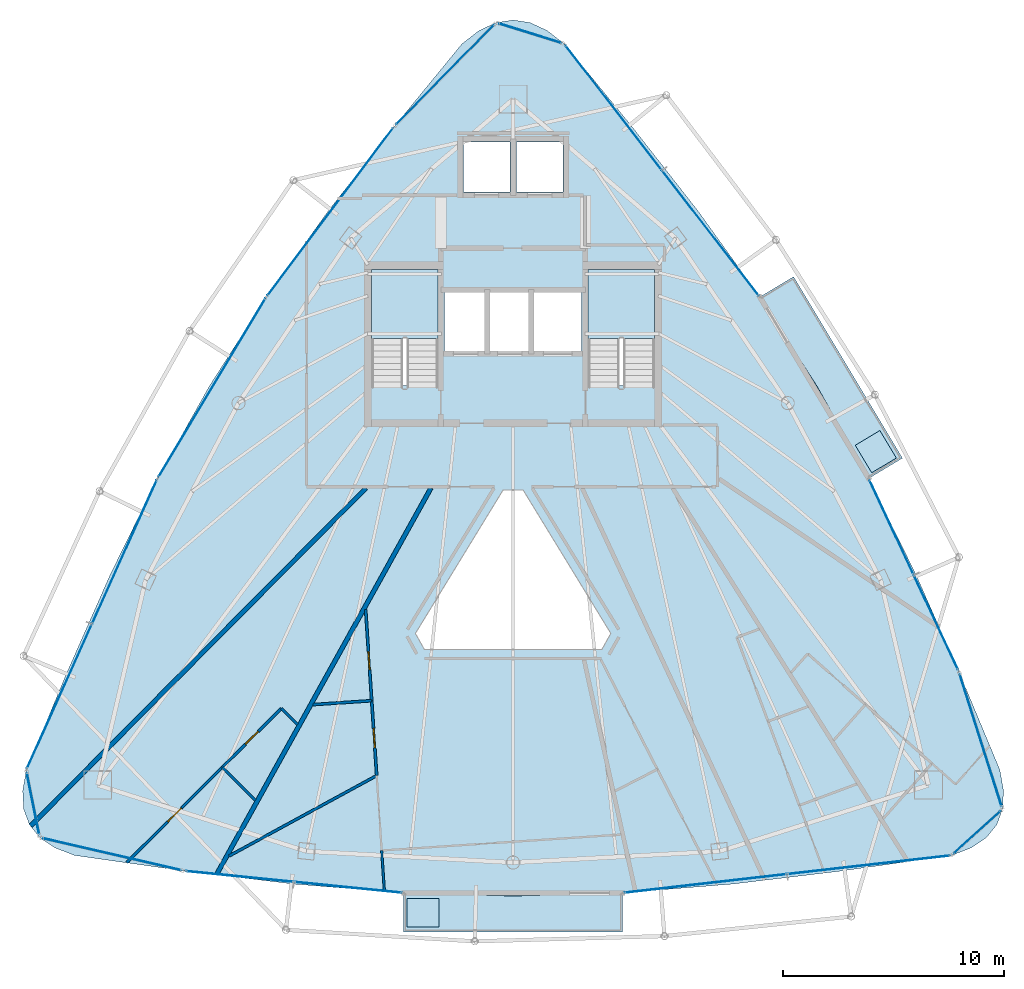
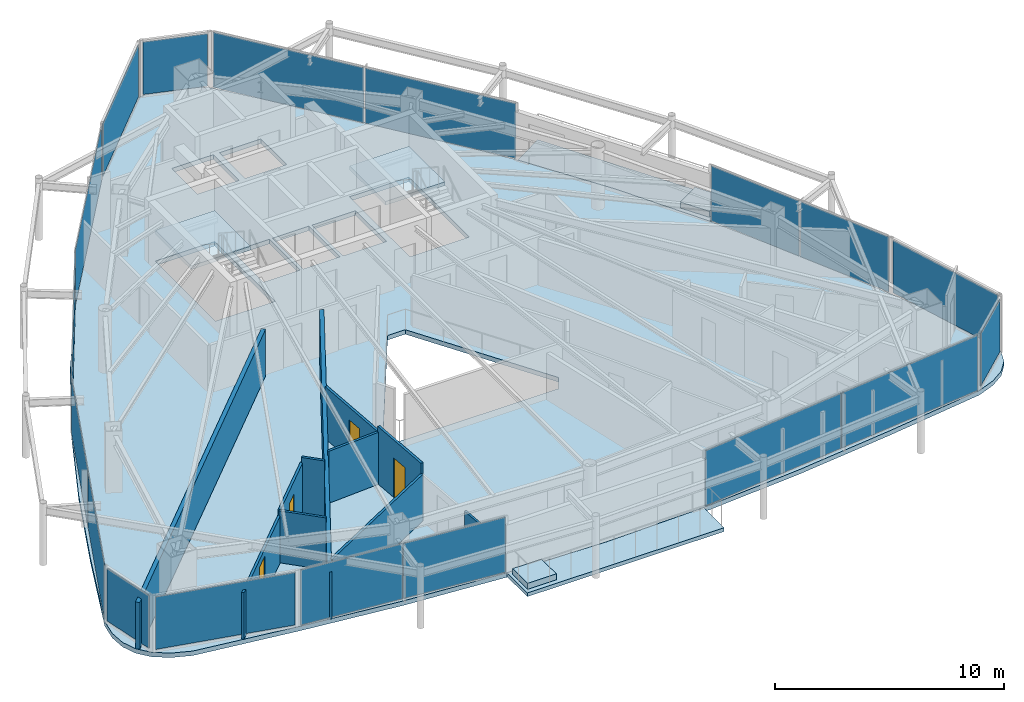
# One storey, part 24 of 29: 18 plates, 11 walls, 7 slabs, 4 doors, 4 openings, 15 elements without a shape of their own.
"""IFC4 building model written with IfcOpenShell, lengths in metres."""

from ifc_helpers import new_model, si_unit, direction, frame, frame_2d, origin, origin_2d, place, context, subcontext, project, spatial, polyline, rectangle, outline, extrude, material, layer, layer_set, type_object, element, fill, aggregate, save


model = new_model("IFC4")

# Units and contexts
model_context = context("Model", 3, precision=1e-05, world=origin(), true_north=direction((0.0, 1.0)))
body_context = subcontext(model_context, "Body", "Model", "MODEL_VIEW")
ifc_project = project(units=[si_unit("LENGTHUNIT", "METRE"), si_unit("AREAUNIT", "SQUARE_METRE"), si_unit("VOLUMEUNIT", "CUBIC_METRE"), si_unit("PLANEANGLEUNIT", "RADIAN"), si_unit("MASSUNIT", "GRAM", prefix="KILO")], contexts=[model_context])

# Site, building, storey
site_placement = place(None, origin())
site = spatial("IfcSite", under=ifc_project, at=site_placement, CompositionType="ELEMENT")
building_placement = place(site_placement, origin())
building = spatial("IfcBuilding", under=site, at=building_placement, Name="Orvanel Arch Residences", CompositionType="ELEMENT")
storey_placement = place(building_placement, frame((0.0, 0.0, 250.25)))
storey = spatial("IfcBuildingStorey", under=building, at=storey_placement, Name="L71", CompositionType="ELEMENT", Elevation=250.25)

# Curtain wall, plate
ifc_material_1 = material(Name="Bronze-anodised aluminium AA6063-T6", Category="aluminium")
ifc_layer_1 = layer(ifc_material_1, 0.175048828125)
ifc_layer_set_1 = layer_set([ifc_layer_1], Name="Bronze-anodised aluminium AA6063-T6")
curtain_wall_type_1 = type_object("IfcCurtainWallType", Name="CW4-HI-SYS", PredefinedType="NOTDEFINED", material=ifc_layer_set_1)
curtain_wall_1_placement = place(storey_placement, origin())
curtain_wall_1 = element("IfcCurtainWall", 1, at=curtain_wall_1_placement, inside=storey, type_object=curtain_wall_type_1, Name="L71 CW4-HI-SYS Unitised Curtain Wall", PredefinedType="NOTDEFINED")
ifc_material_2 = material(Name="Double-glazed solar-control low-E safety glass", Category="glass")
ifc_layer_2 = layer(ifc_material_2, 0.028076171875)
ifc_layer_set_2 = layer_set([ifc_layer_2], Name="Double-glazed solar-control low-E safety glass")
plate_type_1 = type_object("IfcPlateType", Name="PNL-GLZ-28", PredefinedType="CURTAIN_PANEL", material=ifc_layer_set_2)
plate_1_placement = place(storey_placement, frame((24.722412109375, 36.300537109375, 0.06005859375), z_axis=(0.0, 0.0, 1.0), x_axis=(-0.600150105151, -0.79988739913, 0.0)))
plate_1 = element("IfcPlate", 2, at=plate_1_placement, type_object=plate_type_1, Name="CW-S4 panel 1.1", PredefinedType="CURTAIN_PANEL", context=body_context, shape_type="SweptSolid", body=[
    extrude(rectangle(XDim=9.462646484375, YDim=0.028076171875, at=origin_2d()), origin(), (0.0, 0.0, 1.0), 2.93994140625),
])
aggregate(curtain_wall_1, [plate_1])

curtain_wall_2_placement = place(storey_placement, origin())
curtain_wall_2 = element("IfcCurtainWall", 3, at=curtain_wall_2_placement, inside=storey, type_object=curtain_wall_type_1, Name="L71 CW4-HI-SYS Unitised Curtain Wall", PredefinedType="NOTDEFINED")
plate_2_placement = place(storey_placement, frame((19.367919921875, 28.339599609375, 0.06005859375), z_axis=(0.0, 0.0, 1.0), x_axis=(-0.514357043174, -0.857576137808, 0.0)))
plate_2 = element("IfcPlate", 4, at=plate_2_placement, type_object=plate_type_1, Name="CW-S4 panel 1.1", PredefinedType="CURTAIN_PANEL", context=body_context, shape_type="SweptSolid", body=[
    extrude(rectangle(XDim=9.412109375, YDim=0.028076171875, at=origin_2d()), origin(), (0.0, 0.0, 1.0), 2.93994140625),
])
aggregate(curtain_wall_2, [plate_2])

# Curtain wall, plates
curtain_wall_3_placement = place(storey_placement, origin())
curtain_wall_3 = element("IfcCurtainWall", 5, at=curtain_wall_3_placement, inside=storey, type_object=curtain_wall_type_1, Name="L71 CW4-HI-SYS Unitised Curtain Wall", PredefinedType="NOTDEFINED")
plate_3_placement = place(storey_placement, frame((15.40869140625, 20.907958984375, 0.06005859375), z_axis=(0.0, 0.0, 1.0), x_axis=(-0.410396368338, -0.911907243559, 0.0)))
plate_3 = element("IfcPlate", 6, at=plate_3_placement, type_object=plate_type_1, Name="CW-S4 panel 1.1", PredefinedType="CURTAIN_PANEL", context=body_context, shape_type="SweptSolid", body=[
    extrude(rectangle(XDim=7.11865234375, YDim=0.028076171875, at=origin_2d()), origin(), (0.0, 0.0, 1.0), 2.93994140625),
])
plate_4_placement = place(storey_placement, frame((12.46044921875, 14.357177734375, 0.06005859375), z_axis=(0.0, 0.0, 1.0), x_axis=(-0.410396368338, -0.911907243559, 0.0)))
plate_4 = element("IfcPlate", 7, at=plate_4_placement, type_object=plate_type_1, Name="CW-S4 panel 2.1", PredefinedType="CURTAIN_PANEL", context=body_context, shape_type="SweptSolid", body=[
    extrude(rectangle(XDim=7.11865234375, YDim=0.028076171875, at=origin_2d()), origin(), (0.0, 0.0, 1.0), 2.93994140625),
])
aggregate(curtain_wall_3, [plate_3, plate_4])

curtain_wall_4_placement = place(storey_placement, origin())
curtain_wall_4 = element("IfcCurtainWall", 8, at=curtain_wall_4_placement, inside=storey, type_object=curtain_wall_type_1, Name="L71 CW4-HI-SYS Unitised Curtain Wall", PredefinedType="NOTDEFINED")
plate_5_placement = place(storey_placement, frame((20.623779296875, 6.212158203125, 0.06005859375), z_axis=(0.0, 0.0, 1.0), x_axis=(0.995029211484, -0.099583474002, 0.0)))
plate_5 = element("IfcPlate", 9, at=plate_5_placement, type_object=plate_type_1, Name="CW-S4 panel 1.1", PredefinedType="CURTAIN_PANEL", context=body_context, shape_type="SweptSolid", body=[
    extrude(rectangle(XDim=4.8681640625, YDim=0.028076171875, at=origin_2d()), origin(), (0.0, 0.0, 1.0), 2.93994140625),
])
plate_6_placement = place(storey_placement, frame((25.5322265625, 5.720947265625, 0.06005859375), z_axis=(0.0, 0.0, 1.0), x_axis=(0.995029211484, -0.099583474002, 0.0)))
plate_6 = element("IfcPlate", 10, at=plate_6_placement, type_object=plate_type_1, Name="CW-S4 panel 2.1", PredefinedType="CURTAIN_PANEL", context=body_context, shape_type="SweptSolid", body=[
    extrude(rectangle(XDim=4.8681640625, YDim=0.028076171875, at=origin_2d()), origin(), (0.0, 0.0, 1.0), 2.93994140625),
])
aggregate(curtain_wall_4, [plate_5, plate_6])

curtain_wall_5_placement = place(storey_placement, origin())
curtain_wall_5 = element("IfcCurtainWall", 11, at=curtain_wall_5_placement, inside=storey, type_object=curtain_wall_type_1, Name="L71 CW4-HI-SYS Unitised Curtain Wall", PredefinedType="NOTDEFINED")
plate_7_placement = place(storey_placement, frame((41.7080078125, 5.896728515625, 0.06005859375), z_axis=(0.0, 0.0, 1.0), x_axis=(0.993565426136, 0.113259630878, 0.0)))
plate_7 = element("IfcPlate", 12, at=plate_7_placement, type_object=plate_type_1, Name="CW-S4 panel 1.1", PredefinedType="CURTAIN_PANEL", context=body_context, shape_type="SweptSolid", body=[
    extrude(rectangle(XDim=7.3720703125, YDim=0.028076171875, at=origin_2d()), origin(), (0.0, 0.0, 1.0), 2.93994140625),
])
plate_8_placement = place(storey_placement, frame((49.09716796875, 6.7392578125, 0.06005859375), z_axis=(0.0, 0.0, 1.0), x_axis=(0.993565426136, 0.113259630878, 0.0)))
plate_8 = element("IfcPlate", 13, at=plate_8_placement, type_object=plate_type_1, Name="CW-S4 panel 2.1", PredefinedType="CURTAIN_PANEL", context=body_context, shape_type="SweptSolid", body=[
    extrude(rectangle(XDim=7.3720703125, YDim=0.028076171875, at=origin_2d()), origin(), (0.0, 0.0, 1.0), 2.93994140625),
])
aggregate(curtain_wall_5, [plate_7, plate_8])

curtain_wall_6_placement = place(storey_placement, origin())
curtain_wall_6 = element("IfcCurtainWall", 14, at=curtain_wall_6_placement, inside=storey, type_object=curtain_wall_type_1, Name="L71 CW4-HI-SYS Unitised Curtain Wall", PredefinedType="NOTDEFINED")
plate_9_placement = place(storey_placement, frame((52.142822265625, 17.70947265625, 0.06005859375), z_axis=(0.0, 0.0, 1.0), x_axis=(-0.423330539235, 0.905975305707, 0.0)))
plate_9 = element("IfcPlate", 15, at=plate_9_placement, type_object=plate_type_1, Name="CW-S4 panel 1.1", PredefinedType="CURTAIN_PANEL", context=body_context, shape_type="SweptSolid", body=[
    extrude(rectangle(XDim=4.698974609375, YDim=0.028076171875, at=origin_2d()), origin(), (0.0, 0.0, 1.0), 2.93994140625),
])
plate_10_placement = place(storey_placement, frame((50.126220703125, 22.025634765625, 0.06005859375), z_axis=(0.0, 0.0, 1.0), x_axis=(-0.423330539235, 0.905975305707, 0.0)))
plate_10 = element("IfcPlate", 16, at=plate_10_placement, type_object=plate_type_1, Name="CW-S4 panel 2.1", PredefinedType="CURTAIN_PANEL", context=body_context, shape_type="SweptSolid", body=[
    extrude(rectangle(XDim=4.698974609375, YDim=0.028076171875, at=origin_2d()), origin(), (0.0, 0.0, 1.0), 2.93994140625),
])
aggregate(curtain_wall_6, [plate_9, plate_10])

curtain_wall_7_placement = place(storey_placement, origin())
curtain_wall_7 = element("IfcCurtainWall", 17, at=curtain_wall_7_placement, inside=storey, type_object=curtain_wall_type_1, Name="L71 CW4-HI-SYS Unitised Curtain Wall", PredefinedType="NOTDEFINED")
plate_11_placement = place(storey_placement, frame((41.9404296875, 35.331787109375, 0.06005859375), z_axis=(0.0, 0.0, 1.0), x_axis=(-0.611380446006, 0.791336812136, 0.0)))
plate_11 = element("IfcPlate", 18, at=plate_11_placement, type_object=plate_type_1, Name="CW-S4 panel 1.1", PredefinedType="CURTAIN_PANEL", context=body_context, shape_type="SweptSolid", body=[
    extrude(rectangle(XDim=7.1181640625, YDim=0.028076171875, at=origin_2d()), origin(), (0.0, 0.0, 1.0), 2.93994140625),
])
plate_12_placement = place(storey_placement, frame((37.548583984375, 41.01611328125, 0.06005859375), z_axis=(0.0, 0.0, 1.0), x_axis=(-0.611380446006, 0.791336812136, 0.0)))
plate_12 = element("IfcPlate", 19, at=plate_12_placement, type_object=plate_type_1, Name="CW-S4 panel 2.1", PredefinedType="CURTAIN_PANEL", context=body_context, shape_type="SweptSolid", body=[
    extrude(rectangle(XDim=7.1181640625, YDim=0.028076171875, at=origin_2d()), origin(), (0.0, 0.0, 1.0), 2.93994140625),
])
aggregate(curtain_wall_7, [plate_11, plate_12])

# Curtain wall, plate
ifc_layer_3 = layer(ifc_material_1, 0.18994140625)
ifc_layer_set_3 = layer_set([ifc_layer_3], Name="Bronze-anodised aluminium AA6063-T6")
curtain_wall_type_2 = type_object("IfcCurtainWallType", Name="CW5-CRN-SYS", PredefinedType="NOTDEFINED", material=ifc_layer_set_3)
curtain_wall_8_placement = place(storey_placement, origin())
curtain_wall_8 = element("IfcCurtainWall", 20, at=curtain_wall_8_placement, inside=storey, type_object=curtain_wall_type_2, Name="L71 CW5-CRN-SYS Unitised Curtain Wall", PredefinedType="NOTDEFINED")
ifc_layer_4 = layer(ifc_material_2, 0.031982421875)
ifc_layer_set_4 = layer_set([ifc_layer_4], Name="Double-glazed solar-control low-E safety glass")
plate_type_2 = type_object("IfcPlateType", Name="PNL-GLZ-32", PredefinedType="CURTAIN_PANEL", material=ifc_layer_set_4)
plate_13_placement = place(storey_placement, frame((33.7734375, 44.381591796875, 0.1298828125), z_axis=(0.0, 0.0, 1.0), x_axis=(-0.954862682861, 0.297047566696, 0.0)))
plate_13 = element("IfcPlate", 21, at=plate_13_placement, type_object=plate_type_2, Name="CW-S5 panel 1.1", PredefinedType="CURTAIN_PANEL", context=body_context, shape_type="SweptSolid", body=[
    extrude(rectangle(XDim=2.901611328125, YDim=0.031982421875, at=origin_2d()), origin(), (0.0, 0.0, 1.0), 2.800048828125),
])
aggregate(curtain_wall_8, [plate_13])

curtain_wall_9_placement = place(storey_placement, origin())
curtain_wall_9 = element("IfcCurtainWall", 22, at=curtain_wall_9_placement, inside=storey, type_object=curtain_wall_type_2, Name="L71 CW5-CRN-SYS Unitised Curtain Wall", PredefinedType="NOTDEFINED")
plate_14_placement = place(storey_placement, frame((29.91943359375, 42.508056640625, 0.1298828125), z_axis=(0.0, 0.0, 1.0), x_axis=(-0.699666990307, -0.714469105473, 0.0)))
plate_14 = element("IfcPlate", 23, at=plate_14_placement, type_object=plate_type_2, Name="CW-S5 panel 1.1", PredefinedType="CURTAIN_PANEL", context=body_context, shape_type="SweptSolid", body=[
    extrude(rectangle(XDim=6.253173828125, YDim=0.031982421875, at=origin_2d()), origin(), (0.0, 0.0, 1.0), 2.800048828125),
])
aggregate(curtain_wall_9, [plate_14])

curtain_wall_10_placement = place(storey_placement, origin())
curtain_wall_10 = element("IfcCurtainWall", 24, at=curtain_wall_10_placement, inside=storey, type_object=curtain_wall_type_2, Name="L71 CW5-CRN-SYS Unitised Curtain Wall", PredefinedType="NOTDEFINED")
plate_15_placement = place(storey_placement, frame((11.27001953125, 9.50390625, 0.1298828125), z_axis=(0.0, 0.0, 1.0), x_axis=(0.195491601364, -0.980705375633, 0.0)))
plate_15 = element("IfcPlate", 25, at=plate_15_placement, type_object=plate_type_2, Name="CW-S5 panel 1.1", PredefinedType="CURTAIN_PANEL", context=body_context, shape_type="SweptSolid", body=[
    extrude(rectangle(XDim=2.779296875, YDim=0.031982421875, at=origin_2d()), origin(), (0.0, 0.0, 1.0), 2.800048828125),
])
aggregate(curtain_wall_10, [plate_15])

curtain_wall_11_placement = place(storey_placement, origin())
curtain_wall_11 = element("IfcCurtainWall", 26, at=curtain_wall_11_placement, inside=storey, type_object=curtain_wall_type_2, Name="L71 CW5-CRN-SYS Unitised Curtain Wall", PredefinedType="NOTDEFINED")
plate_16_placement = place(storey_placement, frame((14.845947265625, 7.218505859375, 0.1298828125), z_axis=(0.0, 0.0, 1.0), x_axis=(0.974388670683, -0.224870448137, 0.0)))
plate_16 = element("IfcPlate", 27, at=plate_16_placement, type_object=plate_type_2, Name="CW-S5 panel 1.1", PredefinedType="CURTAIN_PANEL", context=body_context, shape_type="SweptSolid", body=[
    extrude(rectangle(XDim=6.375, YDim=0.031982421875, at=origin_2d()), origin(), (0.0, 0.0, 1.0), 2.800048828125),
])
aggregate(curtain_wall_11, [plate_16])

curtain_wall_12_placement = place(storey_placement, origin())
curtain_wall_12 = element("IfcCurtainWall", 28, at=curtain_wall_12_placement, inside=storey, type_object=curtain_wall_type_2, Name="L71 CW5-CRN-SYS Unitised Curtain Wall", PredefinedType="NOTDEFINED")
plate_17_placement = place(storey_placement, frame((53.99951171875, 8.214599609375, 0.1298828125), z_axis=(0.0, 0.0, 1.0), x_axis=(0.740365843875, 0.672204148472, 0.0)))
plate_17 = element("IfcPlate", 29, at=plate_17_placement, type_object=plate_type_2, Name="CW-S5 panel 1.1", PredefinedType="CURTAIN_PANEL", context=body_context, shape_type="SweptSolid", body=[
    extrude(rectangle(XDim=2.781005859375, YDim=0.031982421875, at=origin_2d()), origin(), (0.0, 0.0, 1.0), 2.800048828125),
])
aggregate(curtain_wall_12, [plate_17])

curtain_wall_13_placement = place(storey_placement, origin())
curtain_wall_13 = element("IfcCurtainWall", 30, at=curtain_wall_13_placement, inside=storey, type_object=curtain_wall_type_2, Name="L71 CW5-CRN-SYS Unitised Curtain Wall", PredefinedType="NOTDEFINED")
plate_18_placement = place(storey_placement, frame((54.1640625, 12.383544921875, 0.1298828125), z_axis=(0.0, 0.0, 1.0), x_axis=(-0.302689910097, 0.953089092544, 0.0)))
plate_18 = element("IfcPlate", 31, at=plate_18_placement, type_object=plate_type_2, Name="CW-S5 panel 1.1", PredefinedType="CURTAIN_PANEL", context=body_context, shape_type="SweptSolid", body=[
    extrude(rectangle(XDim=6.208251953125, YDim=0.031982421875, at=origin_2d()), origin(), (0.0, 0.0, 1.0), 2.800048828125),
])
aggregate(curtain_wall_13, [plate_18])

# Slabs
ifc_material_3 = material(Name="Concrete N40 (40 MPa)", Category="concrete")
ifc_layer_5 = layer(ifc_material_3, 0.199951171875)
ifc_layer_set_5 = layer_set([ifc_layer_5], Name="Concrete N40 (40 MPa)")
slab_type_1 = type_object("IfcSlabType", Name="SLB-BAL-200", PredefinedType="FLOOR", material=ifc_layer_set_5)
slab_1_placement = place(storey_placement, frame((0.0, 0.0, -0.199951171875)))
element("IfcSlab", 32, at=slab_1_placement, inside=storey, type_object=slab_type_1, Name="L71 Cantilevered Balcony Slab Face 2", PredefinedType="FLOOR", context=body_context, shape_type="SweptSolid", body=[
    extrude(outline(polyline([(28.0390625, 3.68994140625), (37.9609375, 3.68994140625), (37.9609375, 5.469970703125), (33.0, 5.330078125), (28.0390625, 5.469970703125), (28.0390625, 3.68994140625)])), origin(), (0.0, 0.0, 1.0), 0.199951171875),
])
slab_2_placement = place(storey_placement, frame((0.0, 0.0, -0.199951171875)))
element("IfcSlab", 33, at=slab_2_placement, inside=storey, type_object=slab_type_1, Name="L71 Cantilevered Balcony Slab Face 3", PredefinedType="FLOOR", context=body_context, shape_type="SweptSolid", body=[
    extrude(outline(polyline([(50.623046875, 25.14697265625), (45.694091796875, 33.363037109375), (44.16796875, 32.447998046875), (46.751953125, 28.412109375), (49.095947265625, 24.23095703125), (50.623046875, 25.14697265625)])), origin(), (0.0, 0.0, 1.0), 0.199951171875),
])

# Stair, slab
ifc_material_4 = material(Name="Precast concrete N50 (50 MPa)", Category="concrete")
stair_type = type_object("IfcStairType", Name="STR-DOG-184", PredefinedType="USERDEFINED", material=ifc_material_4)
stair_1_placement = place(storey_placement, origin())
stair_1 = element("IfcStair", 34, at=stair_1_placement, inside=storey, type_object=stair_type, Name="L71 Fire-Isolated Core Exit Stair 1", ObjectType="TWO_RETURN_STAIR", PredefinedType="USERDEFINED")
ifc_layer_6 = layer(ifc_material_3, 0.199951171875)
ifc_layer_set_6 = layer_set([ifc_layer_6], Name="Concrete N40 (40 MPa)")
slab_type_2 = type_object("IfcSlabType", Name="SLB-LND-200", PredefinedType="LANDING", material=ifc_layer_set_6)
slab_3_placement = place(storey_placement, frame((0.0, 0.0, 1.449951171875)))
slab_3 = element("IfcSlab", 35, at=slab_3_placement, type_object=slab_type_2, Name="ST-1 landing 1", PredefinedType="LANDING", context=body_context, shape_type="SweptSolid", body=[
    extrude(outline(polyline([(29.60009765625, 30.56005859375), (29.60009765625, 33.699951171875), (26.60009765625, 33.699951171875), (26.60009765625, 30.56005859375), (29.60009765625, 30.56005859375)])), origin(), (0.0, 0.0, 1.0), 0.199951171875),
])
aggregate(stair_1, [slab_3])

stair_2_placement = place(storey_placement, origin())
stair_2 = element("IfcStair", 36, at=stair_2_placement, inside=storey, type_object=stair_type, Name="L71 Fire-Isolated Core Exit Stair 2", ObjectType="TWO_RETURN_STAIR", PredefinedType="USERDEFINED")
slab_4_placement = place(storey_placement, frame((0.0, 0.0, 1.449951171875)))
slab_4 = element("IfcSlab", 37, at=slab_4_placement, type_object=slab_type_2, Name="ST-2 landing 1", PredefinedType="LANDING", context=body_context, shape_type="SweptSolid", body=[
    extrude(outline(polyline([(39.39990234375, 30.56005859375), (39.39990234375, 33.699951171875), (36.39990234375, 33.699951171875), (36.39990234375, 30.56005859375), (39.39990234375, 30.56005859375)])), origin(), (0.0, 0.0, 1.0), 0.199951171875),
])
aggregate(stair_2, [slab_4])

# Slabs
ifc_material_5 = material(Name="Structural architectural precast concrete N40 (40 MPa) planter", Category="concrete")
ifc_layer_7 = layer(ifc_material_5, 0.320068359375)
ifc_layer_set_7 = layer_set([ifc_layer_7], Name="Structural architectural precast concrete N40 (40 MPa) planter")
slab_type_3 = type_object("IfcSlabType", Name="SLB-PLN-320", PredefinedType="USERDEFINED", material=ifc_layer_set_7)
slab_5_placement = place(storey_placement, origin())
element("IfcSlab", 38, at=slab_5_placement, inside=storey, type_object=slab_type_3, Name="L71 Balcony TREE PLANTER Face 2", ObjectType="PLANTER", PredefinedType="USERDEFINED", context=body_context, shape_type="SweptSolid", body=[
    extrude(outline(polyline([(28.18896484375, 3.919921875), (29.638916015625, 3.919921875), (29.638916015625, 5.219970703125), (28.18896484375, 5.219970703125), (28.18896484375, 3.919921875)])), origin(), (0.0, 0.0, 1.0), 0.320068359375),
])
slab_6_placement = place(storey_placement, origin())
element("IfcSlab", 39, at=slab_6_placement, inside=storey, type_object=slab_type_3, Name="L71 Balcony TREE PLANTER Face 3", ObjectType="PLANTER", PredefinedType="USERDEFINED", context=body_context, shape_type="SweptSolid", body=[
    extrude(outline(polyline([(50.347900390625, 25.156982421875), (49.60302734375, 26.40087890625), (48.488037109375, 25.73193359375), (49.23388671875, 24.489013671875), (50.347900390625, 25.156982421875)])), origin(), (0.0, 0.0, 1.0), 0.320068359375),
])
ifc_layer_8 = layer(ifc_material_3, 0.239990234375)
ifc_layer_set_8 = layer_set([ifc_layer_8], Name="Concrete N40 (40 MPa)")
slab_type_4 = type_object("IfcSlabType", Name="SLB-TYP-240", PredefinedType="FLOOR", material=ifc_layer_set_8)
slab_7_placement = place(storey_placement, frame((0.0, 0.0, -0.239990234375)))
element("IfcSlab", 40, at=slab_7_placement, inside=storey, type_object=slab_type_4, Name="L71 Tower Floor Slab", PredefinedType="FLOOR", context=body_context, shape_type="SweptSolid", body=[
    extrude(outline(polyline([(35.321044921875, 43.89990234375), (34.547119140625, 44.501953125), (33.77392578125, 44.863037109375), (33.0, 44.98291015625), (32.22607421875, 44.863037109375), (31.452880859375, 44.501953125), (30.678955078125, 43.89990234375), (27.613037109375, 40.153076171875), (24.637939453125, 36.35107421875), (21.83203125, 32.447998046875), (19.248046875, 28.412109375), (16.904052734375, 24.23095703125), (14.781005859375, 19.9189453125), (12.826904296875, 15.50390625), (10.965087890625, 11.033935546875), (10.799072265625, 10.089111328125), (10.844970703125, 9.262939453125), (11.10400390625, 8.55908203125), (11.574951171875, 7.97412109375), (12.259033203125, 7.510009765625), (13.156005859375, 7.166015625), (18.116943359375, 6.462890625), (23.077880859375, 5.867919921875), (28.0390625, 5.469970703125), (33.0, 5.330078125), (37.9609375, 5.469970703125), (42.922119140625, 5.867919921875), (47.883056640625, 6.462890625), (52.843994140625, 7.166015625), (53.739990234375, 7.510009765625), (54.425048828125, 7.97412109375), (54.89599609375, 8.55908203125), (55.155029296875, 9.262939453125), (55.200927734375, 10.089111328125), (55.034912109375, 11.033935546875), (53.173095703125, 15.50390625), (51.218994140625, 19.9189453125), (49.095947265625, 24.23095703125), (46.751953125, 28.412109375), (44.16796875, 32.447998046875), (41.362060546875, 36.35107421875), (38.386962890625, 40.153076171875), (35.321044921875, 43.89990234375)]), holes=[polyline([(26.60009765625, 28.429931640625), (26.60009765625, 33.699951171875), (29.60009765625, 33.699951171875), (29.60009765625, 28.429931640625), (26.60009765625, 28.429931640625)]), polyline([(36.39990234375, 28.429931640625), (36.39990234375, 33.699951171875), (39.39990234375, 33.699951171875), (39.39990234375, 28.429931640625), (36.39990234375, 28.429931640625)]), polyline([(29.89990234375, 32.64990234375), (31.75, 32.64990234375), (31.75, 29.949951171875), (29.89990234375, 29.949951171875), (29.89990234375, 32.64990234375)]), polyline([(31.89990234375, 32.64990234375), (33.75, 32.64990234375), (33.75, 29.949951171875), (31.89990234375, 29.949951171875), (31.89990234375, 32.64990234375)]), polyline([(33.89990234375, 32.64990234375), (36.10009765625, 32.64990234375), (36.10009765625, 29.949951171875), (33.89990234375, 29.949951171875), (33.89990234375, 32.64990234375)]), polyline([(30.75, 39.449951171875), (32.85009765625, 39.449951171875), (32.85009765625, 37.199951171875), (30.75, 37.199951171875), (30.75, 39.449951171875)]), polyline([(33.14990234375, 39.449951171875), (35.25, 39.449951171875), (35.25, 37.199951171875), (33.14990234375, 37.199951171875), (33.14990234375, 39.449951171875)]), polyline([(37.423095703125, 17.215087890625), (37.011962890625, 16.48193359375), (28.988037109375, 16.48193359375), (28.576904296875, 17.215087890625), (32.552001953125, 23.717041015625), (33.447998046875, 23.717041015625), (37.423095703125, 17.215087890625)])]), origin(), (0.0, 0.0, 1.0), 0.239990234375),
])

# Walls
ifc_material_6 = material(Name="Fire-rated plasterboard lined steel stud partition", Category="steel")
ifc_layer_9 = layer(ifc_material_6, 0.199951171875)
ifc_layer_set_9 = layer_set([ifc_layer_9], Name="Fire-rated plasterboard lined steel stud partition")
wall_type_1 = type_object("IfcWallType", Name="W-DEM-200", PredefinedType="PARTITIONING", material=ifc_layer_set_9)
wall_1_placement = place(storey_placement, frame((19.574951171875, 6.302001953125, 0.0), z_axis=(0.0, 0.0, 1.0), x_axis=(0.485129783088, 0.874442161358, 0.0)))
element("IfcWall", 41, at=wall_1_placement, inside=storey, type_object=wall_type_1, Name="L71 Inter-Tenancy Acoustic Demising Wall", PredefinedType="PARTITIONING", context=body_context, shape_type="SweptSolid", body=[
    extrude(rectangle(XDim=19.9990234375, YDim=0.199951171875, at=frame_2d((9.99951171875, 0.0))), origin(), (0.0, 0.0, 1.0), 2.491943359375),
])
wall_2_placement = place(storey_placement, frame((26.337890625, 23.7900390625, 0.0), z_axis=(0.0, 0.0, 1.0), x_axis=(-0.70454576136, -0.70965855885, 0.0)))
element("IfcWall", 42, at=wall_2_placement, inside=storey, type_object=wall_type_1, Name="L71 Inter-Tenancy Acoustic Demising Wall", PredefinedType="PARTITIONING", context=body_context, shape_type="SweptSolid", body=[
    extrude(rectangle(XDim=21.53564453125, YDim=0.199951171875, at=frame_2d((10.767822265625, 0.0))), origin(), (0.0, 0.0, 1.0), 2.491943359375),
])
ifc_material_7 = material(Name="Acoustic plasterboard lined twin-stud partition", Category="gypsum")
ifc_layer_10 = layer(ifc_material_7, 0.10009765625)
ifc_layer_set_10 = layer_set([ifc_layer_10], Name="Acoustic plasterboard lined twin-stud partition")
wall_type_2 = type_object("IfcWallType", Name="W-INT-100", PredefinedType="PARTITIONING", material=ifc_layer_set_10)
wall_3_placement = place(storey_placement, frame((27.172119140625, 5.553955078125, 0.0), z_axis=(0.0, 0.0, 1.0), x_axis=(-0.066342877953, 0.997796884413, 0.0)))
element("IfcWall", 43, at=wall_3_placement, inside=storey, type_object=wall_type_2, Name="L71 Studio A Internal Partition", PredefinedType="PARTITIONING", context=body_context, shape_type="SweptSolid", body=[
    extrude(rectangle(XDim=1.840087890625, YDim=0.10009765625, at=frame_2d((0.919921875, 0.0))), origin(), (0.0, 0.0, 1.0), 2.491943359375),
])

# Wall, opening, door
ifc_layer_11 = layer(ifc_material_7, 0.1201171875)
ifc_layer_set_11 = layer_set([ifc_layer_11], Name="Acoustic plasterboard lined twin-stud partition")
wall_type_3 = type_object("IfcWallType", Name="W-WET-120", PredefinedType="PARTITIONING", material=ifc_layer_set_11)
wall_4_placement = place(storey_placement, frame((26.59912109375, 14.169921875, 0.0), z_axis=(0.0, 0.0, 1.0), x_axis=(-0.066334744758, 0.997797425151, 0.0)))
wall_4 = element("IfcWall", 44, at=wall_4_placement, inside=storey, type_object=wall_type_3, Name="L71 Studio A Bathroom Partition", PredefinedType="PARTITIONING", context=body_context, shape_type="SweptSolid", body=[
    extrude(rectangle(XDim=4.133056640625, YDim=0.1201171875, at=frame_2d((2.06640625, 0.0))), origin(), (0.0, 0.0, 1.0), 2.77294921875),
])
opening_1_placement = place(wall_4_placement, frame((1.408935546875, 0.0, 0.0)))
opening_1 = element("IfcOpeningElement", 45, at=opening_1_placement, cuts=wall_4, Name="Opening DW-082", PredefinedType="OPENING", context=body_context, shape_type="SweptSolid", body=[
    extrude(rectangle(XDim=0.820068359375, YDim=2.10009765625, at=frame_2d((0.41015625, 1.050048828125))), frame((0.0, 0.070068359375, 0.0), z_axis=(0.0, -1.0, 0.0), x_axis=(1.0, 0.0, 0.0)), (0.0, 0.0, 1.0), 0.14013671875),
])
ifc_material_8 = material(Name="Solid-core European oak veneer fire door leaf", Category="wood")
door_type_1 = type_object("IfcDoorType", Name="DR-WET-820", OperationType="NOTDEFINED", PredefinedType="DOOR", material=ifc_material_8)
door_1_placement = place(opening_1_placement, origin())
door_1 = element("IfcDoor", 46, at=door_1_placement, inside=storey, type_object=door_type_1, Name="DR-L71-A-BATH L71 Studio A Bathroom Door", OperationType="SINGLE_SWING_RIGHT", OverallHeight=2.10009765625, OverallWidth=0.820068359375, PredefinedType="DOOR", context=body_context, shape_type="SweptSolid", body=[
    extrude(rectangle(XDim=0.820068359375, YDim=2.10009765625, at=frame_2d((0.41015625, 1.050048828125))), frame((0.0, 0.02490234375, 0.0), z_axis=(0.0, -1.0, 0.0), x_axis=(1.0, 0.0, 0.0)), (0.0, 0.0, 1.0), 0.050048828125),
])
fill(opening_1, door_1)

wall_5_placement = place(storey_placement, frame((26.824951171875, 10.780029296875, 0.0), z_axis=(0.0, 0.0, 1.0), x_axis=(-0.066471315173, 0.997788336402, 0.0)))
wall_5 = element("IfcWall", 47, at=wall_5_placement, inside=storey, type_object=wall_type_3, Name="L71 Studio A Internal Partition", PredefinedType="PARTITIONING", context=body_context, shape_type="SweptSolid", body=[
    extrude(rectangle(XDim=3.3974609375, YDim=0.1201171875, at=frame_2d((1.69873046875, 0.0))), origin(), (0.0, 0.0, 1.0), 3.06005859375),
])
opening_2_placement = place(wall_5_placement, frame((1.259033203125, 0.0, 0.0)))
opening_2 = element("IfcOpeningElement", 48, at=opening_2_placement, cuts=wall_5, Name="Opening DI-088", PredefinedType="OPENING", context=body_context, shape_type="SweptSolid", body=[
    extrude(rectangle(XDim=0.8798828125, YDim=2.10009765625, at=frame_2d((0.43994140625, 1.050048828125))), frame((0.0, 0.070068359375, 0.0), z_axis=(0.0, -1.0, 0.0), x_axis=(1.0, 0.0, 0.0)), (0.0, 0.0, 1.0), 0.14013671875),
])
door_type_2 = type_object("IfcDoorType", Name="DR-INT-880", OperationType="NOTDEFINED", PredefinedType="DOOR", material=ifc_material_8)
door_2_placement = place(opening_2_placement, origin())
door_2 = element("IfcDoor", 49, at=door_2_placement, inside=storey, type_object=door_type_2, Name="DR-L71-A-KIT L71 Studio A Kitchenette Door", OperationType="SINGLE_SWING_LEFT", OverallHeight=2.10009765625, OverallWidth=0.8798828125, PredefinedType="DOOR", context=body_context, shape_type="SweptSolid", body=[
    extrude(rectangle(XDim=0.8798828125, YDim=2.10009765625, at=frame_2d((0.43994140625, 1.050048828125))), frame((0.0, 0.02490234375, 0.0), z_axis=(0.0, -1.0, 0.0), x_axis=(1.0, 0.0, 0.0)), (0.0, 0.0, 1.0), 0.050048828125),
])
fill(opening_2, door_2)

# Walls
wall_6_placement = place(storey_placement, frame((26.59912109375, 14.169921875, 0.0), z_axis=(0.0, 0.0, 1.0), x_axis=(-0.99779365881, -0.066391373223, 0.0)))
element("IfcWall", 50, at=wall_6_placement, inside=storey, type_object=wall_type_3, Name="L71 Studio A Bathroom Partition", PredefinedType="PARTITIONING", context=body_context, shape_type="SweptSolid", body=[
    extrude(rectangle(XDim=2.666015625, YDim=0.1201171875, at=frame_2d((1.3330078125, 0.0))), origin(), (0.0, 0.0, 1.0), 2.77294921875),
])
wall_7_placement = place(storey_placement, frame((26.824951171875, 10.780029296875, 0.0), z_axis=(0.0, 0.0, 1.0), x_axis=(-0.87825059366, -0.478200684583, 0.0)))
element("IfcWall", 51, at=wall_7_placement, inside=storey, type_object=wall_type_3, Name="L71 Studio A Internal Partition", PredefinedType="PARTITIONING", context=body_context, shape_type="SweptSolid", body=[
    extrude(rectangle(XDim=7.6162109375, YDim=0.1201171875, at=frame_2d((3.80810546875, 0.0))), origin(), (0.0, 0.0, 1.0), 2.491943359375),
])
wall_8_placement = place(storey_placement, frame((23.242919921875, 13.087890625, 0.0), z_axis=(0.0, 0.0, 1.0), x_axis=(-0.706518163511, 0.707694909286, 0.0)))
element("IfcWall", 52, at=wall_8_placement, inside=storey, type_object=wall_type_3, Name="L71 Studio D Bathroom Partition", PredefinedType="PARTITIONING", context=body_context, shape_type="SweptSolid", body=[
    extrude(rectangle(XDim=1.037353515625, YDim=0.1201171875, at=frame_2d((0.5185546875, 0.0))), origin(), (0.0, 0.0, 1.0), 3.06005859375),
])

# Wall, opening, door
wall_9_placement = place(storey_placement, frame((22.510009765625, 13.822021484375, 0.0), z_axis=(0.0, 0.0, 1.0), x_axis=(-0.708172404385, -0.706039549649, 0.0)))
wall_9 = element("IfcWall", 53, at=wall_9_placement, inside=storey, type_object=wall_type_3, Name="L71 Studio D Bathroom Partition", PredefinedType="PARTITIONING", context=body_context, shape_type="SweptSolid", body=[
    extrude(rectangle(XDim=3.77734375, YDim=0.1201171875, at=frame_2d((1.888671875, 0.0))), origin(), (0.0, 0.0, 1.0), 2.77294921875),
])
opening_3_placement = place(wall_9_placement, frame((1.47900390625, 0.0, 0.0)))
opening_3 = element("IfcOpeningElement", 54, at=opening_3_placement, cuts=wall_9, Name="Opening DW-082", PredefinedType="OPENING", context=body_context, shape_type="SweptSolid", body=[
    extrude(rectangle(XDim=0.820068359375, YDim=2.10009765625, at=frame_2d((0.41015625, 1.050048828125))), frame((0.0, 0.070068359375, 0.0), z_axis=(0.0, -1.0, 0.0), x_axis=(1.0, 0.0, 0.0)), (0.0, 0.0, 1.0), 0.14013671875),
])
door_3_placement = place(opening_3_placement, origin())
door_3 = element("IfcDoor", 55, at=door_3_placement, inside=storey, type_object=door_type_1, Name="DR-L71-D-BATH L71 Studio D Bathroom Door", OperationType="SINGLE_SWING_RIGHT", OverallHeight=2.10009765625, OverallWidth=0.820068359375, PredefinedType="DOOR", context=body_context, shape_type="SweptSolid", body=[
    extrude(rectangle(XDim=0.820068359375, YDim=2.10009765625, at=frame_2d((0.41015625, 1.050048828125))), frame((0.0, 0.02490234375, 0.0), z_axis=(0.0, -1.0, 0.0), x_axis=(1.0, 0.0, 0.0)), (0.0, 0.0, 1.0), 0.050048828125),
])
fill(opening_3, door_3)

wall_10_placement = place(storey_placement, frame((19.8349609375, 11.155029296875, 0.0), z_axis=(0.0, 0.0, 1.0), x_axis=(-0.708085833798, -0.706126371108, 0.0)))
wall_10 = element("IfcWall", 56, at=wall_10_placement, inside=storey, type_object=wall_type_3, Name="L71 Studio D Internal Partition", PredefinedType="PARTITIONING", context=body_context, shape_type="SweptSolid", body=[
    extrude(rectangle(XDim=6.105224609375, YDim=0.1201171875, at=frame_2d((3.052734375, 0.0))), origin(), (0.0, 0.0, 1.0), 2.491943359375),
])
opening_4_placement = place(wall_10_placement, frame((2.613037109375, 0.0, 0.0)))
opening_4 = element("IfcOpeningElement", 57, at=opening_4_placement, cuts=wall_10, Name="Opening DI-088", PredefinedType="OPENING", context=body_context, shape_type="SweptSolid", body=[
    extrude(rectangle(XDim=0.8798828125, YDim=2.10009765625, at=frame_2d((0.43994140625, 1.050048828125))), frame((0.0, 0.070068359375, 0.0), z_axis=(0.0, -1.0, 0.0), x_axis=(1.0, 0.0, 0.0)), (0.0, 0.0, 1.0), 0.14013671875),
])
door_4_placement = place(opening_4_placement, origin())
door_4 = element("IfcDoor", 58, at=door_4_placement, inside=storey, type_object=door_type_2, Name="DR-L71-D-KIT L71 Studio D Kitchenette Door", OperationType="SINGLE_SWING_LEFT", OverallHeight=2.10009765625, OverallWidth=0.8798828125, PredefinedType="DOOR", context=body_context, shape_type="SweptSolid", body=[
    extrude(rectangle(XDim=0.8798828125, YDim=2.10009765625, at=frame_2d((0.43994140625, 1.050048828125))), frame((0.0, 0.02490234375, 0.0), z_axis=(0.0, -1.0, 0.0), x_axis=(1.0, 0.0, 0.0)), (0.0, 0.0, 1.0), 0.050048828125),
])
fill(opening_4, door_4)

# Wall
wall_11_placement = place(storey_placement, frame((21.3359375, 9.65087890625, 0.0), z_axis=(0.0, 0.0, 1.0), x_axis=(-0.70635958505, 0.707853188597, 0.0)))
element("IfcWall", 59, at=wall_11_placement, inside=storey, type_object=wall_type_3, Name="L71 Studio D Bathroom Partition", PredefinedType="PARTITIONING", context=body_context, shape_type="SweptSolid", body=[
    extrude(rectangle(XDim=2.125, YDim=0.1201171875, at=frame_2d((1.0625, 0.0))), origin(), (0.0, 0.0, 1.0), 2.77294921875),
])

save(model, "model.ifc")
